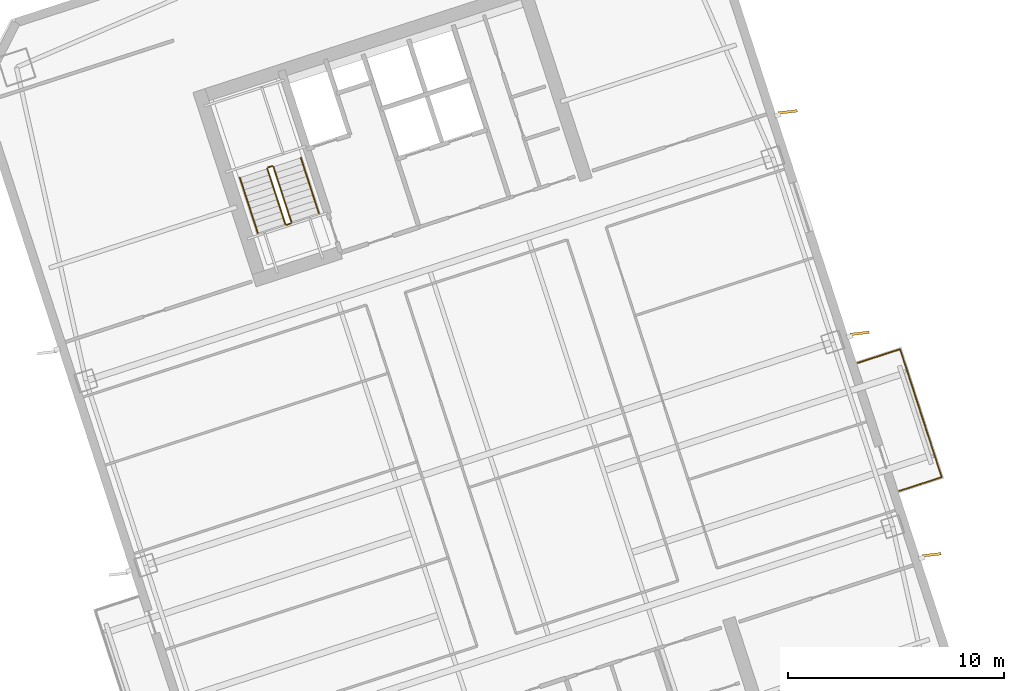
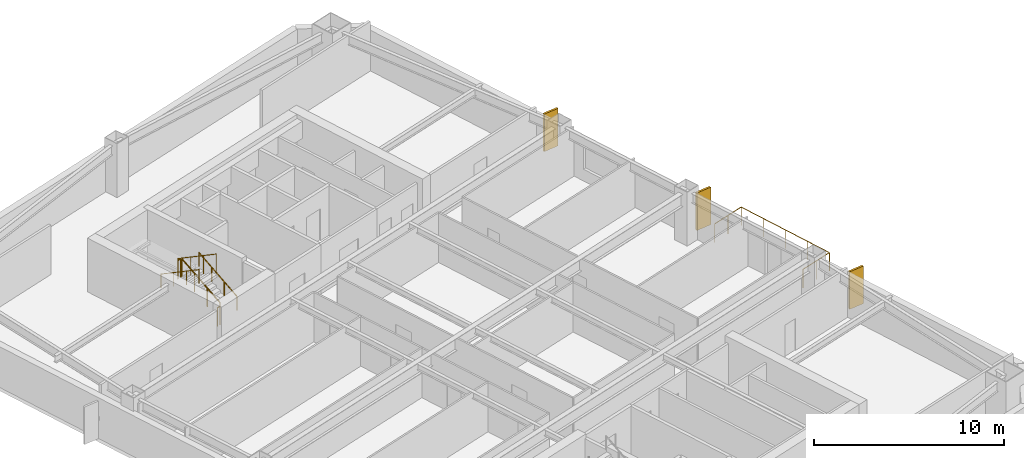
# One storey, part 16 of 16: 7 railings, 3 shading devices.
"""IFC4 building model written with IfcOpenShell, lengths in metres."""

from ifc_helpers import new_model, si_unit, direction, frame, origin, origin_2d, place, context, subcontext, project, spatial, rectangle, circle, extrude, material, layer, layer_set, type_object, element, save


model = new_model("IFC4")

# Units and contexts
model_context = context("Model", 3, precision=1e-05, world=origin(), true_north=direction((0.0, 1.0)))
body_context = subcontext(model_context, "Body", "Model", "MODEL_VIEW")
ifc_project = project(units=[si_unit("LENGTHUNIT", "METRE"), si_unit("AREAUNIT", "SQUARE_METRE"), si_unit("VOLUMEUNIT", "CUBIC_METRE"), si_unit("PLANEANGLEUNIT", "RADIAN"), si_unit("MASSUNIT", "GRAM", prefix="KILO")], contexts=[model_context])

# Site, building, storey
site_placement = place(None, origin())
site = spatial("IfcSite", under=ifc_project, at=site_placement, CompositionType="ELEMENT")
building_placement = place(site_placement, origin())
building = spatial("IfcBuilding", under=site, at=building_placement, Name="Qiaolan Cultural Towers", CompositionType="ELEMENT")
storey_placement = place(building_placement, frame((0.0, 0.0, 110.39990234375)))
storey = spatial("IfcBuildingStorey", under=building, at=storey_placement, Name="L28", CompositionType="ELEMENT", Elevation=110.39990234375)

# Railings
ifc_material_1 = material(Name="Laminated SentryGlas & Stainless Steel S31608 Balustrade", Category="steel")
railing_type_1 = type_object("IfcRailingType", Name="GRD-TERR-1200", PredefinedType="BALUSTRADE", material=ifc_material_1)
railing_1_placement = place(storey_placement, frame((109.014892578125, 32.271240234375, 0.0)))
element("IfcRailing", 1, at=railing_1_placement, inside=storey, type_object=railing_type_1, Name="L28 T2 Tree Balcony Guardrail E", PredefinedType="BALUSTRADE", context=body_context, shape_type="SweptSolid", body=[
    extrude(circle(Radius=0.02392578125, at=origin_2d()), frame((0.0, 0.0, 1.17578125), z_axis=(0.951061799618, 0.309000733507, 0.0), x_axis=(-0.309000733507, 0.951061799618, 0.0)), (0.0, 0.0, 1.0), 2.070068359375),
    extrude(circle(Radius=0.02392578125, at=origin_2d()), frame((1.96875, 0.6396484375, 1.17578125), z_axis=(-0.309047146287, 0.951046718817, 0.0), x_axis=(-0.951046718817, -0.309047146287, 0.0)), (0.0, 0.0, 1.0), 6.239990234375),
    extrude(circle(Radius=0.02392578125, at=origin_2d()), frame((0.040283203125, 6.57421875, 1.17578125), z_axis=(-0.951050536716, -0.309035397023, 0.0), x_axis=(0.309035397023, -0.951050536716, 0.0)), (0.0, 0.0, 1.0), 2.06982421875),
    extrude(circle(Radius=0.02099609375, at=origin_2d()), origin(), (0.0, 0.0, 1.0), 1.15185546875),
    extrude(circle(Radius=0.02099609375, at=origin_2d()), frame((0.984375, 0.31982421875, 0.0)), (0.0, 0.0, 1.0), 1.15185546875),
    extrude(circle(Radius=0.02099609375, at=origin_2d()), frame((1.96875, 0.6396484375, 0.0)), (0.0, 0.0, 1.0), 1.15185546875),
    extrude(circle(Radius=0.02099609375, at=origin_2d()), frame((1.486572265625, 2.123291015625, 0.0)), (0.0, 0.0, 1.0), 1.15185546875),
    extrude(circle(Radius=0.02099609375, at=origin_2d()), frame((1.00439453125, 3.60693359375, 0.0)), (0.0, 0.0, 1.0), 1.15185546875),
    extrude(circle(Radius=0.02099609375, at=origin_2d()), frame((0.5224609375, 5.090576171875, 0.0)), (0.0, 0.0, 1.0), 1.15185546875),
    extrude(circle(Radius=0.02099609375, at=origin_2d()), frame((0.040283203125, 6.57421875, 0.0)), (0.0, 0.0, 1.0), 1.15185546875),
    extrude(circle(Radius=0.02099609375, at=origin_2d()), frame((-0.94384765625, 6.25439453125, 0.0)), (0.0, 0.0, 1.0), 1.15185546875),
    extrude(circle(Radius=0.02099609375, at=origin_2d()), frame((-1.92822265625, 5.9345703125, 0.0)), (0.0, 0.0, 1.0), 1.15185546875),
])
ifc_material_2 = material(Name="Galvanized Painted Steel Stair Guardrail", Category="steel")
railing_type_2 = type_object("IfcRailingType", Name="RL-STAIR-GRD", PredefinedType="GUARDRAIL", material=ifc_material_2)
railing_2_placement = place(storey_placement, frame((80.822021484375, 44.739501953125, 0.172607421875)))
element("IfcRailing", 2, at=railing_2_placement, inside=storey, type_object=railing_type_2, Name="L28 ST-E2 stair guard 1", PredefinedType="GUARDRAIL", context=body_context, shape_type="SweptSolid", body=[
    extrude(circle(Radius=0.02392578125, at=origin_2d()), frame((0.0, 0.0, 1.17578125), z_axis=(-0.26785290645, 0.824488402118, 0.498471358535), x_axis=(-0.951069945308, -0.308975661068, 0.0)), (0.0, 0.0, 1.0), 3.114501953125),
    extrude(circle(Radius=0.02099609375, at=origin_2d()), origin(), (0.0, 0.0, 1.0), 1.15185546875),
    extrude(circle(Radius=0.02099609375, at=origin_2d()), frame((-0.278076171875, 0.85595703125, 0.517578125)), (0.0, 0.0, 1.0), 1.15185546875),
    extrude(circle(Radius=0.02099609375, at=origin_2d()), frame((-0.55615234375, 1.7119140625, 1.034912109375)), (0.0, 0.0, 1.0), 1.15185546875),
    extrude(circle(Radius=0.02099609375, at=origin_2d()), frame((-0.834228515625, 2.56787109375, 1.552490234375)), (0.0, 0.0, 1.0), 1.15185546875),
])
railing_3_placement = place(storey_placement, frame((79.9248046875, 47.33935546875, 1.72509765625)))
element("IfcRailing", 3, at=railing_3_placement, inside=storey, type_object=railing_type_2, Name="L28 ST-E2 stair guard 2", PredefinedType="GUARDRAIL", context=body_context, shape_type="SweptSolid", body=[
    extrude(circle(Radius=0.02392578125, at=origin_2d()), frame((0.0, 0.0, 1.17578125), z_axis=(-0.951096855055, -0.308892816854, 0.0), x_axis=(0.308892816854, -0.951096855055, 0.0)), (0.0, 0.0, 1.0), 0.199951171875),
    extrude(circle(Radius=0.02099609375, at=origin_2d()), origin(), (0.0, 0.0, 1.0), 1.15185546875),
    extrude(circle(Radius=0.02099609375, at=origin_2d()), frame((-0.190185546875, -0.061767578125, 0.0)), (0.0, 0.0, 1.0), 1.15185546875),
])
railing_4_placement = place(storey_placement, frame((79.702392578125, 47.214599609375, 1.897705078125)))
element("IfcRailing", 4, at=railing_4_placement, inside=storey, type_object=railing_type_2, Name="L28 ST-E2 stair guard 3", PredefinedType="GUARDRAIL", context=body_context, shape_type="SweptSolid", body=[
    extrude(circle(Radius=0.02392578125, at=origin_2d()), frame((0.0, 0.0, 1.17578125), z_axis=(0.267925668498, -0.824471088726, 0.498460891159), x_axis=(0.951043371037, 0.309057448393, 0.0)), (0.0, 0.0, 1.0), 3.114501953125),
    extrude(circle(Radius=0.02099609375, at=origin_2d()), origin(), (0.0, 0.0, 1.0), 1.15185546875),
    extrude(circle(Radius=0.02099609375, at=origin_2d()), frame((0.278076171875, -0.85595703125, 0.517578125)), (0.0, 0.0, 1.0), 1.15185546875),
    extrude(circle(Radius=0.02099609375, at=origin_2d()), frame((0.556396484375, -1.7119140625, 1.034912109375)), (0.0, 0.0, 1.0), 1.15185546875),
    extrude(circle(Radius=0.02099609375, at=origin_2d()), frame((0.83447265625, -2.56787109375, 1.552490234375)), (0.0, 0.0, 1.0), 1.15185546875),
])
railing_5_placement = place(storey_placement, frame((80.7900390625, 44.676513671875, 0.0)))
element("IfcRailing", 5, at=railing_5_placement, inside=storey, type_object=railing_type_2, Name="L28 ST-E2 stair guard 4", PredefinedType="GUARDRAIL", context=body_context, shape_type="SweptSolid", body=[
    extrude(circle(Radius=0.02392578125, at=origin_2d()), frame((0.0, 0.0, 1.17578125), z_axis=(-0.951096855055, -0.308892816854, 0.0), x_axis=(0.308892816854, -0.951096855055, 0.0)), (0.0, 0.0, 1.0), 0.199951171875),
    extrude(circle(Radius=0.02099609375, at=origin_2d()), origin(), (0.0, 0.0, 1.0), 1.15185546875),
    extrude(circle(Radius=0.02099609375, at=origin_2d()), frame((-0.190185546875, -0.061767578125, 0.0)), (0.0, 0.0, 1.0), 1.15185546875),
])
ifc_material_3 = material(Name="Stainless Steel S30408 Tubular Handrail", Category="steel")
railing_type_3 = type_object("IfcRailingType", Name="RL-STAIR-HR", PredefinedType="HANDRAIL", material=ifc_material_3)
railing_6_placement = place(storey_placement, frame((82.096435546875, 45.153564453125, 0.172607421875)))
element("IfcRailing", 6, at=railing_6_placement, inside=storey, type_object=railing_type_3, Name="L28 ST-E2 stair handrail 1", PredefinedType="HANDRAIL", context=body_context, shape_type="SweptSolid", body=[
    extrude(circle(Radius=0.02392578125, at=origin_2d()), frame((0.0, 0.0, 0.8759765625), z_axis=(-0.26785290645, 0.824488402118, 0.498471358535), x_axis=(-0.951069945308, -0.308975661068, 0.0)), (0.0, 0.0, 1.0), 3.114501953125),
    extrude(circle(Radius=0.02099609375, at=origin_2d()), origin(), (0.0, 0.0, 1.0), 0.851806640625),
    extrude(circle(Radius=0.02099609375, at=origin_2d()), frame((-0.278076171875, 0.85595703125, 0.517578125)), (0.0, 0.0, 1.0), 0.851806640625),
    extrude(circle(Radius=0.02099609375, at=origin_2d()), frame((-0.55615234375, 1.7119140625, 1.034912109375)), (0.0, 0.0, 1.0), 0.851806640625),
    extrude(circle(Radius=0.02099609375, at=origin_2d()), frame((-0.834228515625, 2.56787109375, 1.552490234375)), (0.0, 0.0, 1.0), 0.851806640625),
])
railing_7_placement = place(storey_placement, frame((78.427978515625, 46.800537109375, 1.897705078125)))
element("IfcRailing", 7, at=railing_7_placement, inside=storey, type_object=railing_type_3, Name="L28 ST-E2 stair handrail 2", PredefinedType="HANDRAIL", context=body_context, shape_type="SweptSolid", body=[
    extrude(circle(Radius=0.02392578125, at=origin_2d()), frame((0.0, 0.0, 0.8759765625), z_axis=(0.267925668498, -0.824471088726, 0.498460891159), x_axis=(0.951043371037, 0.309057448393, 0.0)), (0.0, 0.0, 1.0), 3.114501953125),
    extrude(circle(Radius=0.02099609375, at=origin_2d()), origin(), (0.0, 0.0, 1.0), 0.851806640625),
    extrude(circle(Radius=0.02099609375, at=origin_2d()), frame((0.278076171875, -0.85595703125, 0.517578125)), (0.0, 0.0, 1.0), 0.851806640625),
    extrude(circle(Radius=0.02099609375, at=origin_2d()), frame((0.556396484375, -1.7119140625, 1.034912109375)), (0.0, 0.0, 1.0), 0.851806640625),
    extrude(circle(Radius=0.02099609375, at=origin_2d()), frame((0.83447265625, -2.56787109375, 1.552490234375)), (0.0, 0.0, 1.0), 0.851806640625),
])

# Shading devices
ifc_material_4 = material(Name="Pierced Warm Terracotta Acoustic Fin", Category="masonry")
ifc_layer = layer(ifc_material_4, 0.1201171875)
ifc_layer_set = layer_set([ifc_layer], Name="Pierced Warm Terracotta Acoustic Fin")
shading_device_type = type_object("IfcShadingDeviceType", Name="SHD-FIN-PIERCED", PredefinedType="USERDEFINED", material=ifc_layer_set)
for number, where, z_axis, x_axis, name in (
    (8, (110.513427734375, 29.309326171875, 0.10009765625), (0.0, 0.0, 1.0), (0.993553402645, 0.113365056754, 0.0), "L28 T2 Expressive Precast Vertical Fin E1"),
    (9, (107.176025390625, 39.580810546875, 0.10009765625), (0.0, 0.0, 1.0), (0.993553402645, 0.113365056754, 0.0), "L28 T2 Expressive Precast Vertical Fin E2"),
    (10, (103.838623046875, 49.852294921875, 0.10009765625), (0.0, 0.0, 1.0), (0.993553402645, 0.113365056754, 0.0), "L28 T2 Expressive Precast Vertical Fin E3"),
):
    element("IfcShadingDevice", number, at=place(storey_placement, frame(where, z_axis=z_axis, x_axis=x_axis)), inside=storey, type_object=shading_device_type, Name=name, ObjectType="FIN", PredefinedType="USERDEFINED", context=body_context, shape_type="SweptSolid", body=[
        extrude(rectangle(XDim=0.89990234375, YDim=0.1201171875, at=origin_2d()), origin(), (0.0, 0.0, 1.0), 2.409912109375),
    ])

save(model, "model.ifc")
